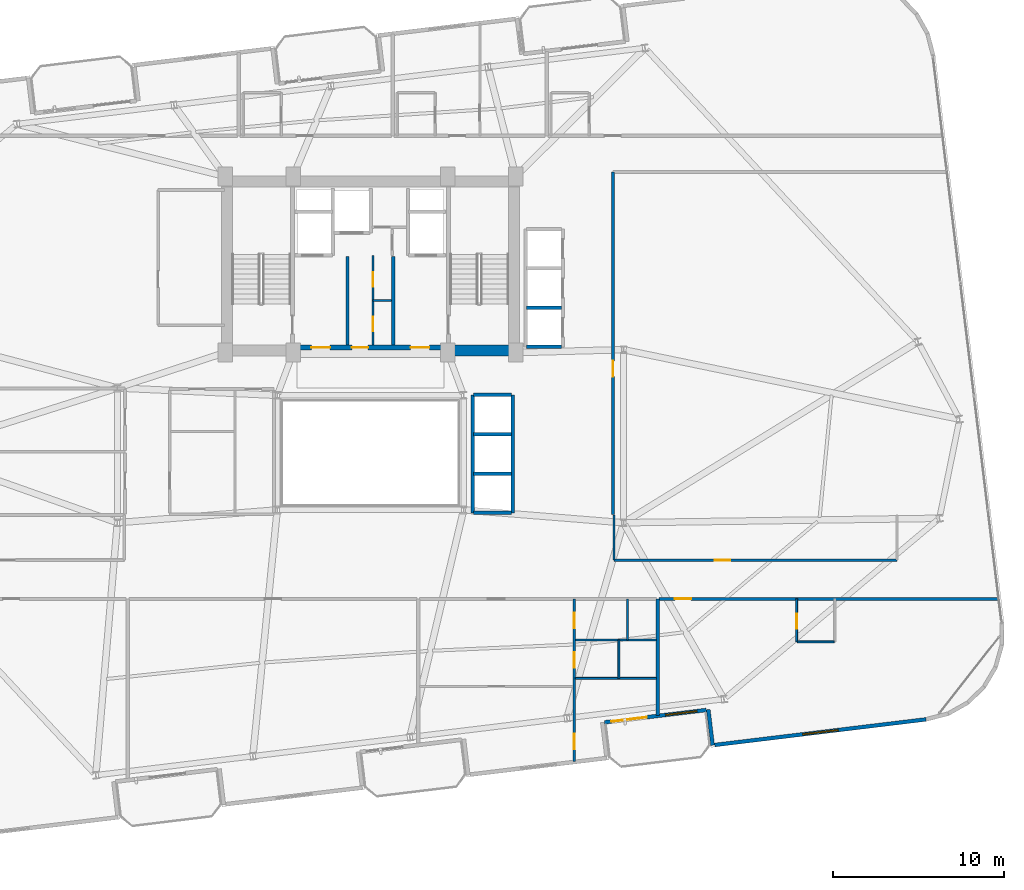
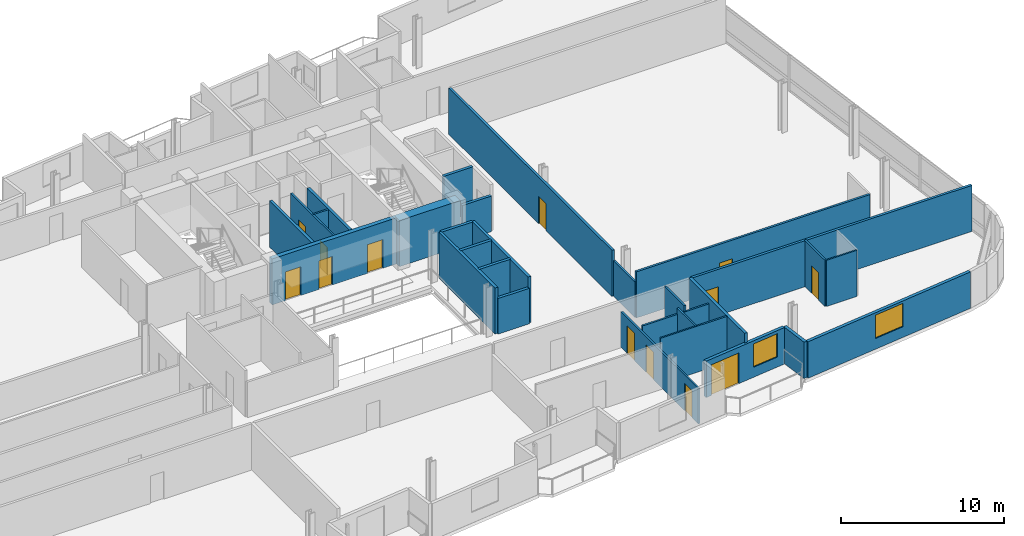
# One storey, part 16 of 23: 29 walls, 13 doors, 2 windows, 15 openings.
"""IFC4 building model written with IfcOpenShell, lengths in metres."""

import ifcopenshell
import ifcopenshell.guid

model = None  # the IFC model being written
_history = None  # IfcOwnerHistory: only IFC2X3 demands one
_inside = {}  # id of a spatial element -> (the spatial element, [elements in it])
_under = {}  # id of a project, library or spatial element -> (it, [spatial elements below it])
_declared = {}  # id of a project -> (the project, [libraries it declares])
_typed = {}  # id of a type object -> (the type object, [elements of that type])
_made_of = {}  # id of a material, layer set ... -> (it, [elements and type objects made of it])


def new_model(schema):
    """Start an empty IFC model of exactly this schema.

    Asked for "IFC4X3", IfcOpenShell would pick the latest addendum, in which some entities
    have other attributes; the version numbers below select the first issue.
    IFC2X3 requires an IfcOwnerHistory on every rooted entity: one is made here for all.
    """
    global model, _history
    if schema == "IFC4X3":
        model = ifcopenshell.file(schema_version=(4, 3, 0, 0))
    else:
        model = ifcopenshell.file(schema=schema)
    _inside.clear()
    _under.clear()
    _declared.clear()
    _typed.clear()
    _made_of.clear()
    _history = None
    if model.schema == "IFC2X3":
        org = make("IfcOrganization", Name="unknown")
        user = make(
            "IfcPersonAndOrganization",
            ThePerson=make("IfcPerson", FamilyName="unknown"),
            TheOrganization=org,
        )
        app = make(
            "IfcApplication",
            ApplicationDeveloper=org,
            Version="unknown",
            ApplicationFullName="unknown",
            ApplicationIdentifier="unknown",
        )
        _history = make(
            "IfcOwnerHistory",
            OwningUser=user,
            OwningApplication=app,
            ChangeAction="ADDED",
            CreationDate=0,
        )
    return model


def make(cls, **values):
    """One entity of the class cls with the attributes given. An attribute that is None is left unset."""
    return model.create_entity(
        cls, **{name: value for name, value in values.items() if value is not None}
    )


def rooted(cls, **values):
    """An entity with a GlobalId (a new one), such as an element, a storey or a relation."""
    return make(cls, GlobalId=ifcopenshell.guid.new(), OwnerHistory=_history, **values)


def si_unit(unit_type, name, prefix=None):
    """IfcSIUnit, for example si_unit("LENGTHUNIT", "METRE", prefix="MILLI")."""
    return make("IfcSIUnit", UnitType=unit_type, Prefix=prefix, Name=name)


def assignment(units):
    """IfcUnitAssignment: the units of a project."""
    return None if units is None else make("IfcUnitAssignment", Units=units)


def point(xyz):
    """IfcCartesianPoint."""
    return None if xyz is None else make("IfcCartesianPoint", Coordinates=xyz)


def direction(xyz):
    """IfcDirection."""
    return None if xyz is None else make("IfcDirection", DirectionRatios=xyz)


def frame(location, z_axis=None, x_axis=None):
    """IfcAxis2Placement3D, a coordinate frame: its origin and axes. An axis left out is left unset."""
    return make(
        "IfcAxis2Placement3D",
        Location=point(location),
        Axis=direction(z_axis),
        RefDirection=direction(x_axis),
    )


def frame_2d(location, x_axis=None):
    """IfcAxis2Placement2D, a coordinate frame in the plane: its origin and x axis."""
    return make(
        "IfcAxis2Placement2D", Location=point(location), RefDirection=direction(x_axis)
    )


def origin():
    """The frame at (0, 0, 0) with its axes left unset."""
    return frame((0.0, 0.0, 0.0))


def place(relative_to, where):
    """IfcLocalPlacement: puts the frame where relative to a parent placement (None: the world)."""
    return make(
        "IfcLocalPlacement", PlacementRelTo=relative_to, RelativePlacement=where
    )


def context(
    kind, dimensions, precision=None, world=None, true_north=None, identifier=None
):
    """IfcGeometricRepresentationContext, for example the 3D "Model" context."""
    return make(
        "IfcGeometricRepresentationContext",
        ContextIdentifier=identifier,
        ContextType=kind,
        CoordinateSpaceDimension=dimensions,
        Precision=precision,
        WorldCoordinateSystem=world,
        TrueNorth=true_north,
    )


def subcontext(parent, identifier, kind, view, scale=None):
    """IfcGeometricRepresentationSubContext, for example "Body" below "Model"."""
    return make(
        "IfcGeometricRepresentationSubContext",
        ContextIdentifier=identifier,
        ContextType=kind,
        ParentContext=parent,
        TargetScale=scale,
        TargetView=view,
    )


def project(units=None, contexts=None):
    """IfcProject with its units and contexts."""
    return rooted(
        "IfcProject",
        Name="project",
        RepresentationContexts=contexts,
        UnitsInContext=assignment(units),
    )


def spatial(cls, under=None, at=None, **own):
    """A site, building, storey or space (cls), placed at a placement, below another one or the project."""
    s = rooted(cls, ObjectPlacement=at, **own)
    if under is not None:
        _under.setdefault(under.id(), (under, []))[1].append(s)
    return s


def profile(cls, at=None, kind="AREA", **sizes):
    """A parametric profile (cls). Its sizes go by their IFC names, for example OverallWidth=200.0."""
    return make(cls, ProfileType=kind, Position=at, **sizes)


def rectangle(**sizes):
    """IfcRectangleProfileDef."""
    return profile("IfcRectangleProfileDef", **sizes)


def extrude(swept, where, along, depth):
    """IfcExtrudedAreaSolid: the profile swept, set in the frame where, extruded along a direction by depth."""
    return make(
        "IfcExtrudedAreaSolid",
        SweptArea=swept,
        Position=where,
        ExtrudedDirection=direction(along),
        Depth=depth,
    )


def shape(context_of_items, identifier, shape_type, items):
    """IfcShapeRepresentation: the items that make up one representation, for example the "Body"."""
    return make(
        "IfcShapeRepresentation",
        ContextOfItems=context_of_items,
        RepresentationIdentifier=identifier,
        RepresentationType=shape_type,
        Items=items,
    )


def material(Name=None, Category=None):
    """IfcMaterial."""
    return make("IfcMaterial", Name=Name, Category=Category)


def layer(
    of_material, thickness, ventilated=None, Name=None, Category=None, Priority=None
):
    """IfcMaterialLayer: one layer of a wall or slab, of a material (None: an air gap)."""
    return make(
        "IfcMaterialLayer",
        Material=of_material,
        LayerThickness=thickness,
        IsVentilated=ventilated,
        Name=Name,
        Category=Category,
        Priority=Priority,
    )


def layer_set(layers, Name=None):
    """IfcMaterialLayerSet."""
    return make("IfcMaterialLayerSet", MaterialLayers=layers, LayerSetName=Name)


def made_of(thing, what):
    """Note that an element or type object is made of a material, layer set ...; save() writes the relation."""
    if what is not None:
        _made_of.setdefault(what.id(), (what, []))[1].append(thing)
    return thing


def type_object(cls, material=None, **own):
    """A type object (cls), such as IfcWallType, which elements share."""
    return made_of(rooted(cls, **own), material)


def element(
    cls,
    number,
    at=None,
    inside=None,
    cuts=None,
    type_object=None,
    material=None,
    context=None,
    identifier="Body",
    shape_type=None,
    held_by="IfcProductDefinitionShape",
    body=None,
    shapes=None,
    **own,
):
    """One element of the class cls, such as IfcWall. Its Tag is "e" and its number.

    at: its placement. inside: the storey or other place that contains it. cuts: it is an
    opening in that element (IfcRelVoidsElement). A single representation is given by context,
    identifier, shape_type and body (its items); several are given by shapes. held_by: the class
    of the entity that holds the representations. save() writes the other relations.
    """
    e = rooted(cls, Tag="e%d" % number, ObjectPlacement=at, **own)
    if body is not None:
        shapes = [shape(context, identifier, shape_type, body)]
    if shapes is not None:
        e.Representation = make(held_by, Representations=shapes)
    if inside is not None:
        _inside.setdefault(inside.id(), (inside, []))[1].append(e)
    if cuts is not None:
        rooted(
            "IfcRelVoidsElement", RelatingBuildingElement=cuts, RelatedOpeningElement=e
        )
    if type_object is not None:
        _typed.setdefault(type_object.id(), (type_object, []))[1].append(e)
    return made_of(e, material)


def fill(opening, filler):
    """IfcRelFillsElement: the door or window that sits in an opening."""
    return rooted(
        "IfcRelFillsElement",
        RelatingOpeningElement=opening,
        RelatedBuildingElement=filler,
    )


def aggregate(whole, parts):
    """IfcRelAggregates: a whole, such as a stair, and the parts it consists of."""
    return rooted("IfcRelAggregates", RelatingObject=whole, RelatedObjects=parts)


def save(model, path):
    """Write the relations noted so far, then the file.

    IfcRelAggregates (storeys below a building ...), IfcRelContainedInSpatialStructure (elements
    in a storey), IfcRelDefinesByType, IfcRelAssociatesMaterial and IfcRelDeclares: one each for
    every whole, place, type object, material and project.
    """
    for whole, parts in _under.values():
        aggregate(whole, parts)
    for where, things in _inside.values():
        rooted(
            "IfcRelContainedInSpatialStructure",
            RelatedElements=things,
            RelatingStructure=where,
        )
    for kind, things in _typed.values():
        rooted("IfcRelDefinesByType", RelatedObjects=things, RelatingType=kind)
    for what, things in _made_of.values():
        rooted("IfcRelAssociatesMaterial", RelatedObjects=things, RelatingMaterial=what)
    for by, libraries in _declared.values():
        rooted("IfcRelDeclares", RelatingContext=by, RelatedDefinitions=libraries)
    model.write(path)


model = new_model("IFC4")

# Units and contexts
model_context = context("Model", 3, precision=1e-05, world=origin(), true_north=direction((0.0, 1.0)))
body_context = subcontext(model_context, "Body", "Model", "MODEL_VIEW")
ifc_project = project(units=[si_unit("LENGTHUNIT", "METRE"), si_unit("AREAUNIT", "SQUARE_METRE"), si_unit("VOLUMEUNIT", "CUBIC_METRE"), si_unit("PLANEANGLEUNIT", "RADIAN"), si_unit("MASSUNIT", "GRAM", prefix="KILO")], contexts=[model_context])

# Site, building, storey
site_placement = place(None, origin())
site = spatial("IfcSite", under=ifc_project, at=site_placement, CompositionType="ELEMENT")
building_placement = place(site_placement, origin())
building = spatial("IfcBuilding", under=site, at=building_placement, Name="Varnelok Gate Tower", CompositionType="ELEMENT")
storey_placement = place(building_placement, frame((0.0, 0.0, 182.0)))
storey = spatial("IfcBuildingStorey", under=building, at=storey_placement, Name="L46", CompositionType="ELEMENT", Elevation=182.0)

# Wall, openings, door, window
ifc_material_1 = material(Name="Concrete C45/55", Category="concrete")
ifc_layer_1 = layer(ifc_material_1, 0.219970703125)
ifc_layer_set_1 = layer_set([ifc_layer_1], Name="Concrete C45/55")
wall_type_1 = type_object("IfcWallType", Name="EW-BALC-220", PredefinedType="SOLIDWALL", material=ifc_layer_set_1)
wall_1_placement = place(storey_placement, frame((58.843017578125, 7.84716796875, 0.0), z_axis=(0.0, 0.0, 1.0), x_axis=(-0.992729951822, -0.120362962556, 0.0)))
wall_1 = element("IfcWall", 1, at=wall_1_placement, inside=storey, type_object=wall_type_1, Name="L46 South Terrace Envelope Wall 3", PredefinedType="SOLIDWALL", context=body_context, shape_type="SweptSolid", body=[
    extrude(rectangle(XDim=6.0, YDim=0.219970703125, at=frame_2d((3.0, 0.0))), origin(), (0.0, 0.0, 1.0), 2.72998046875),
])
opening_1_placement = place(wall_1_placement, frame((3.5, 0.0, 0.0)))
opening_1 = element("IfcOpeningElement", 2, at=opening_1_placement, cuts=wall_1, Name="Opening BD-2", PredefinedType="OPENING", context=body_context, shape_type="SweptSolid", body=[
    extrude(rectangle(XDim=2.10009765625, YDim=2.300048828125, at=frame_2d((1.050048828125, 1.14990234375))), frame((0.0, 0.119873046875, 0.0), z_axis=(0.0, -1.0, 0.0), x_axis=(1.0, 0.0, 0.0)), (0.0, 0.0, 1.0), 0.239990234375),
])
opening_2_placement = place(wall_1_placement, frame((0.550048828125, 0.0, 0.75)))
opening_2 = element("IfcOpeningElement", 3, at=opening_2_placement, cuts=wall_1, Name="Opening WN5", PredefinedType="OPENING", context=body_context, shape_type="SweptSolid", body=[
    extrude(rectangle(XDim=1.85009765625, YDim=1.75, at=frame_2d((0.925048828125, 0.875))), frame((0.0, 0.119873046875, 0.0), z_axis=(0.0, -1.0, 0.0), x_axis=(1.0, 0.0, 0.0)), (0.0, 0.0, 1.0), 0.239990234375),
])
ifc_material_2 = material(Name="Anodized Aluminum Alloy 6063-T6", Category="aluminium")
door_type_1 = type_object("IfcDoorType", Name="DR-EXT-SLID2100", OperationType="SLIDING_TO_LEFT", PredefinedType="DOOR", material=ifc_material_2)
door_1_placement = place(opening_1_placement, origin())
door_1 = element("IfcDoor", 4, at=door_1_placement, inside=storey, type_object=door_type_1, Name="L46 South Balcony Glazed Door 3", OperationType="SLIDING_TO_LEFT", OverallHeight=2.300048828125, OverallWidth=2.10009765625, PredefinedType="DOOR", context=body_context, shape_type="SweptSolid", body=[
    extrude(rectangle(XDim=2.10009765625, YDim=2.300048828125, at=frame_2d((1.050048828125, 1.14990234375))), frame((0.0, 0.02490234375, 0.0), z_axis=(0.0, -1.0, 0.0), x_axis=(1.0, 0.0, 0.0)), (0.0, 0.0, 1.0), 0.050048828125),
])
fill(opening_1, door_1)
ifc_material_3 = material(Name="Low-E Laminated Double Glazing IGU", Category="glass")
window_type_1 = type_object("IfcWindowType", Name="WN-RES-1850", PartitioningType="SINGLE_PANEL", PredefinedType="WINDOW", material=ifc_material_3)
window_1_placement = place(opening_2_placement, origin())
window_1 = element("IfcWindow", 5, at=window_1_placement, inside=storey, type_object=window_type_1, Name="L46 South Vision Window 3.1", OverallHeight=1.75, OverallWidth=1.85009765625, PartitioningType="SINGLE_PANEL", PredefinedType="WINDOW", context=body_context, shape_type="SweptSolid", body=[
    extrude(rectangle(XDim=1.85009765625, YDim=1.75, at=frame_2d((0.925048828125, 0.875))), frame((0.0, 0.030029296875, 0.0), z_axis=(0.0, -1.0, 0.0), x_axis=(1.0, 0.0, 0.0)), (0.0, 0.0, 1.0), 0.06005859375),
])
fill(opening_2, window_1)

# Wall
wall_2_placement = place(storey_placement, frame((58.961181640625, 7.87158203125, 0.0), z_axis=(0.0, 0.0, 1.0), x_axis=(0.120327895535, -0.992734202874, 0.0)))
element("IfcWall", 6, at=wall_2_placement, inside=storey, type_object=wall_type_1, Name="L46 Perimeter Facade Closure Wall 15", PredefinedType="SOLIDWALL", context=body_context, shape_type="SweptSolid", body=[
    extrude(rectangle(XDim=2.099853515625, YDim=0.219970703125, at=frame_2d((1.0498046875, 0.0))), origin(), (0.0, 0.0, 1.0), 2.72998046875),
])

# Wall, opening, window
wall_3_placement = place(storey_placement, frame((59.337890625, 5.8017578125, 0.0), z_axis=(0.0, 0.0, 1.0), x_axis=(0.992731225757, 0.120352454927, 0.0)))
wall_3 = element("IfcWall", 7, at=wall_3_placement, inside=storey, type_object=wall_type_1, Name="L46 Perimeter Facade Closure Wall 16", PredefinedType="SOLIDWALL", context=body_context, shape_type="SweptSolid", body=[
    extrude(rectangle(XDim=12.447265625, YDim=0.219970703125, at=frame_2d((6.2236328125, 0.0))), origin(), (0.0, 0.0, 1.0), 2.72998046875),
])
opening_3_placement = place(wall_3_placement, frame((5.173583984375, 0.0, 0.800048828125)))
opening_3 = element("IfcOpeningElement", 8, at=opening_3_placement, cuts=wall_3, Name="Opening WN4", PredefinedType="OPENING", context=body_context, shape_type="SweptSolid", body=[
    extrude(rectangle(XDim=2.10009765625, YDim=1.75, at=frame_2d((1.050048828125, 0.875))), frame((0.0, 0.119873046875, 0.0), z_axis=(0.0, -1.0, 0.0), x_axis=(1.0, 0.0, 0.0)), (0.0, 0.0, 1.0), 0.239990234375),
])
window_type_2 = type_object("IfcWindowType", Name="WN-SUI-2100", PartitioningType="SINGLE_PANEL", PredefinedType="WINDOW", material=ifc_material_3)
window_2_placement = place(opening_3_placement, origin())
window_2 = element("IfcWindow", 9, at=window_2_placement, inside=storey, type_object=window_type_2, Name="L46 Perimeter Vision Window 16", OverallHeight=1.75, OverallWidth=2.10009765625, PartitioningType="SINGLE_PANEL", PredefinedType="WINDOW", context=body_context, shape_type="SweptSolid", body=[
    extrude(rectangle(XDim=2.10009765625, YDim=1.75, at=frame_2d((1.050048828125, 0.875))), frame((0.0, 0.030029296875, 0.0), z_axis=(0.0, -1.0, 0.0), x_axis=(1.0, 0.0, 0.0)), (0.0, 0.0, 1.0), 0.06005859375),
])
fill(opening_3, window_2)

# Wall, opening, door
ifc_material_4 = material(Name="Gypsum Plasterboard Acoustic Partition", Category="gypsum")
ifc_layer_2 = layer(ifc_material_4, 0.179931640625)
ifc_layer_set_2 = layer_set([ifc_layer_2], Name="Gypsum Plasterboard Acoustic Partition")
wall_type_2 = type_object("IfcWallType", Name="PW-CORR-180", PredefinedType="PARTITIONING", material=ifc_layer_set_2)
wall_4_placement = place(storey_placement, frame((56.080078125, 14.35009765625, 0.0), z_axis=(0.0, 0.0, 1.0), x_axis=(1.0, 0.0, 0.0)))
wall_4 = element("IfcWall", 10, at=wall_4_placement, inside=storey, type_object=wall_type_2, Name="Interior Partition", PredefinedType="PARTITIONING", context=body_context, shape_type="SweptSolid", body=[
    extrude(rectangle(XDim=19.82470703125, YDim=0.179931640625, at=frame_2d((9.912353515625, 0.0))), origin(), (0.0, 0.0, 1.0), 3.449951171875),
])
opening_4_placement = place(wall_4_placement, frame((0.923095703125, 0.0, 0.0)))
opening_4 = element("IfcOpeningElement", 11, at=opening_4_placement, cuts=wall_4, Name="Opening D-HT", PredefinedType="OPENING", context=body_context, shape_type="SweptSolid", body=[
    extrude(rectangle(XDim=0.949951171875, YDim=2.14990234375, at=frame_2d((0.47509765625, 1.074951171875))), frame((0.0, 0.099853515625, 0.0), z_axis=(0.0, -1.0, 0.0), x_axis=(1.0, 0.0, 0.0)), (0.0, 0.0, 1.0), 0.199951171875),
])
ifc_material_5 = material(Name="Engineered Hardwood Timber", Category="wood")
door_type_2 = type_object("IfcDoorType", Name="DR-HTL-950", OperationType="NOTDEFINED", PredefinedType="DOOR", material=ifc_material_5)
door_2_placement = place(opening_4_placement, origin())
door_2 = element("IfcDoor", 12, at=door_2_placement, inside=storey, type_object=door_type_2, Name="L46 Guest Room 04 Entrance Door", OperationType="SINGLE_SWING_LEFT", OverallHeight=2.14990234375, OverallWidth=0.949951171875, PredefinedType="DOOR", context=body_context, shape_type="SweptSolid", body=[
    extrude(rectangle(XDim=0.949951171875, YDim=2.14990234375, at=frame_2d((0.47509765625, 1.074951171875))), frame((0.0, 0.02490234375, 0.0), z_axis=(0.0, -1.0, 0.0), x_axis=(1.0, 0.0, 0.0)), (0.0, 0.0, 1.0), 0.050048828125),
])
fill(opening_4, door_2)

wall_5_placement = place(storey_placement, frame((53.389892578125, 19.280029296875, 0.0), z_axis=(0.0, 0.0, 1.0), x_axis=(0.0, 1.0, 0.0)))
wall_5 = element("IfcWall", 13, at=wall_5_placement, inside=storey, type_object=wall_type_2, Name="Interior Partition", PredefinedType="PARTITIONING", context=body_context, shape_type="SweptSolid", body=[
    extrude(rectangle(XDim=20.02001953125, YDim=0.179931640625, at=frame_2d((10.010009765625, 0.0))), origin(), (0.0, 0.0, 1.0), 3.449951171875),
])
opening_5_placement = place(wall_5_placement, frame((8.070068359375, 0.0, 0.0)))
opening_5 = element("IfcOpeningElement", 14, at=opening_5_placement, cuts=wall_5, Name="Opening D-I3", PredefinedType="OPENING", context=body_context, shape_type="SweptSolid", body=[
    extrude(rectangle(XDim=0.919921875, YDim=2.050048828125, at=frame_2d((0.4599609375, 1.02490234375))), frame((0.0, 0.099853515625, 0.0), z_axis=(0.0, -1.0, 0.0), x_axis=(1.0, 0.0, 0.0)), (0.0, 0.0, 1.0), 0.199951171875),
])
door_type_3 = type_object("IfcDoorType", Name="DR-INT-920", OperationType="NOTDEFINED", PredefinedType="DOOR", material=ifc_material_5)
door_3_placement = place(opening_5_placement, origin())
door_3 = element("IfcDoor", 15, at=door_3_placement, inside=storey, type_object=door_type_3, Name="L46 East Playroom Door", OperationType="SINGLE_SWING_LEFT", OverallHeight=2.050048828125, OverallWidth=0.919921875, PredefinedType="DOOR", context=body_context, shape_type="SweptSolid", body=[
    extrude(rectangle(XDim=0.919921875, YDim=2.050048828125, at=frame_2d((0.4599609375, 1.02490234375))), frame((0.0, 0.02490234375, 0.0), z_axis=(0.0, -1.0, 0.0), x_axis=(1.0, 0.0, 0.0)), (0.0, 0.0, 1.0), 0.050048828125),
])
fill(opening_5, door_3)

# Walls
ifc_layer_3 = layer(ifc_material_4, 0.114990234375)
ifc_layer_set_3 = layer_set([ifc_layer_3], Name="Gypsum Plasterboard Acoustic Partition")
wall_type_3 = type_object("IfcWallType", Name="PW-ENS-125", PredefinedType="PARTITIONING", material=ifc_layer_set_3)
wall_6_placement = place(storey_placement, frame((51.18994140625, 9.699951171875, 0.0), z_axis=(0.0, 0.0, 1.0), x_axis=(1.0, 0.0, 0.0)))
element("IfcWall", 16, at=wall_6_placement, inside=storey, type_object=wall_type_3, Name="Interior Partition", PredefinedType="PARTITIONING", context=body_context, shape_type="SweptSolid", body=[
    extrude(rectangle(XDim=4.72998046875, YDim=0.114990234375, at=frame_2d((2.364990234375, 0.0))), origin(), (0.0, 0.0, 1.0), 3.449951171875),
])
wall_7_placement = place(storey_placement, frame((53.72998046875, 9.699951171875, 0.0), z_axis=(0.0, 0.0, 1.0), x_axis=(0.0, 1.0, 0.0)))
element("IfcWall", 17, at=wall_7_placement, inside=storey, type_object=wall_type_3, Name="Interior Partition", PredefinedType="PARTITIONING", context=body_context, shape_type="SweptSolid", body=[
    extrude(rectangle(XDim=2.239990234375, YDim=0.114990234375, at=frame_2d((1.1201171875, 0.0))), origin(), (0.0, 0.0, 1.0), 3.449951171875),
])
wall_8_placement = place(storey_placement, frame((64.169921875, 11.830078125, 0.0), z_axis=(0.0, 0.0, 1.0), x_axis=(1.0, 0.0, 0.0)))
element("IfcWall", 18, at=wall_8_placement, inside=storey, type_object=wall_type_3, Name="Interior Partition", PredefinedType="PARTITIONING", context=body_context, shape_type="SweptSolid", body=[
    extrude(rectangle(XDim=2.150146484375, YDim=0.114990234375, at=frame_2d((1.0751953125, 0.0))), origin(), (0.0, 0.0, 1.0), 3.449951171875),
])

# Wall, opening, door
wall_9_placement = place(storey_placement, frame((64.1298828125, 11.830078125, 0.0), z_axis=(0.0, 0.0, 1.0), x_axis=(0.0, 1.0, 0.0)))
wall_9 = element("IfcWall", 19, at=wall_9_placement, inside=storey, type_object=wall_type_3, Name="Interior Partition", PredefinedType="PARTITIONING", context=body_context, shape_type="SweptSolid", body=[
    extrude(rectangle(XDim=2.52001953125, YDim=0.114990234375, at=frame_2d((1.260009765625, 0.0))), origin(), (0.0, 0.0, 1.0), 3.449951171875),
])
opening_6_placement = place(wall_9_placement, frame((0.760009765625, 0.0, 0.0)))
opening_6 = element("IfcOpeningElement", 20, at=opening_6_placement, cuts=wall_9, Name="Opening D-WC", PredefinedType="OPENING", context=body_context, shape_type="SweptSolid", body=[
    extrude(rectangle(XDim=0.89990234375, YDim=2.050048828125, at=frame_2d((0.449951171875, 1.02490234375))), frame((0.0, 0.0673828125, 0.0), z_axis=(0.0, -1.0, 0.0), x_axis=(1.0, 0.0, 0.0)), (0.0, 0.0, 1.0), 0.135009765625),
])
door_type_4 = type_object("IfcDoorType", Name="DR-BATH-900", OperationType="NOTDEFINED", PredefinedType="DOOR", material=ifc_material_5)
door_4_placement = place(opening_6_placement, origin())
door_4 = element("IfcDoor", 21, at=door_4_placement, inside=storey, type_object=door_type_4, Name="L46 Guest En-Suite 04 Door", OperationType="SINGLE_SWING_RIGHT", OverallHeight=2.050048828125, OverallWidth=0.89990234375, PredefinedType="DOOR", context=body_context, shape_type="SweptSolid", body=[
    extrude(rectangle(XDim=0.89990234375, YDim=2.050048828125, at=frame_2d((0.449951171875, 1.02490234375))), frame((0.0, 0.02490234375, 0.0), z_axis=(0.0, -1.0, 0.0), x_axis=(1.0, 0.0, 0.0)), (0.0, 0.0, 1.0), 0.050048828125),
])
fill(opening_6, door_4)

# Wall
ifc_layer_4 = layer(ifc_material_4, 0.125)
ifc_layer_set_4 = layer_set([ifc_layer_4], Name="Gypsum Plasterboard Acoustic Partition")
wall_type_4 = type_object("IfcWallType", Name="PW-PART-125", PredefinedType="PARTITIONING", material=ifc_layer_set_4)
wall_10_placement = place(storey_placement, frame((53.449951171875, 16.610107421875, 0.0), z_axis=(0.0, 0.0, 1.0), x_axis=(0.0, 1.0, 0.0)))
element("IfcWall", 22, at=wall_10_placement, inside=storey, type_object=wall_type_4, Name="Interior Partition", PredefinedType="PARTITIONING", context=body_context, shape_type="SweptSolid", body=[
    extrude(rectangle(XDim=2.6298828125, YDim=0.125, at=frame_2d((1.31494140625, 0.0))), origin(), (0.0, 0.0, 1.0), 2.662109375),
])

# Wall, openings, doors
wall_11_placement = place(storey_placement, frame((51.1201171875, 4.82568359375, 0.0), z_axis=(0.0, 0.0, 1.0), x_axis=(0.0, 1.0, 0.0)))
wall_11 = element("IfcWall", 23, at=wall_11_placement, inside=storey, type_object=wall_type_4, Name="Interior Partition", PredefinedType="PARTITIONING", context=body_context, shape_type="SweptSolid", body=[
    extrude(rectangle(XDim=9.5244140625, YDim=0.125, at=frame_2d((4.76220703125, 0.0))), origin(), (0.0, 0.0, 1.0), 2.662109375),
])
opening_7_placement = place(wall_11_placement, frame((0.724853515625, 0.0, 0.0)))
opening_7 = element("IfcOpeningElement", 24, at=opening_7_placement, cuts=wall_11, Name="Opening D-I3", PredefinedType="OPENING", context=body_context, shape_type="SweptSolid", body=[
    extrude(rectangle(XDim=0.919921875, YDim=2.050048828125, at=frame_2d((0.4599609375, 1.02490234375))), frame((0.0, 0.072509765625, 0.0), z_axis=(0.0, -1.0, 0.0), x_axis=(1.0, 0.0, 0.0)), (0.0, 0.0, 1.0), 0.14501953125),
])
opening_8_placement = place(wall_11_placement, frame((5.501708984375, 0.0, 0.0)))
opening_8 = element("IfcOpeningElement", 25, at=opening_8_placement, cuts=wall_11, Name="Opening D-WC", PredefinedType="OPENING", context=body_context, shape_type="SweptSolid", body=[
    extrude(rectangle(XDim=0.89990234375, YDim=2.050048828125, at=frame_2d((0.449951171875, 1.02490234375))), frame((0.0, 0.072509765625, 0.0), z_axis=(0.0, -1.0, 0.0), x_axis=(1.0, 0.0, 0.0)), (0.0, 0.0, 1.0), 0.14501953125),
])
opening_9_placement = place(wall_11_placement, frame((7.794189453125, 0.0, 0.0)))
opening_9 = element("IfcOpeningElement", 26, at=opening_9_placement, cuts=wall_11, Name="Opening D-I3", PredefinedType="OPENING", context=body_context, shape_type="SweptSolid", body=[
    extrude(rectangle(XDim=0.919921875, YDim=2.050048828125, at=frame_2d((0.4599609375, 1.02490234375))), frame((0.0, 0.072509765625, 0.0), z_axis=(0.0, -1.0, 0.0), x_axis=(1.0, 0.0, 0.0)), (0.0, 0.0, 1.0), 0.14501953125),
])
door_5_placement = place(opening_8_placement, origin())
door_5 = element("IfcDoor", 27, at=door_5_placement, inside=storey, type_object=door_type_4, Name="L46 Apartment 3 Bathroom Door", OperationType="SINGLE_SWING_LEFT", OverallHeight=2.050048828125, OverallWidth=0.89990234375, PredefinedType="DOOR", context=body_context, shape_type="SweptSolid", body=[
    extrude(rectangle(XDim=0.89990234375, YDim=2.050048828125, at=frame_2d((0.449951171875, 1.02490234375))), frame((0.0, 0.02490234375, 0.0), z_axis=(0.0, -1.0, 0.0), x_axis=(1.0, 0.0, 0.0)), (0.0, 0.0, 1.0), 0.050048828125),
])
fill(opening_8, door_5)
door_6_placement = place(opening_7_placement, origin())
door_6 = element("IfcDoor", 28, at=door_6_placement, inside=storey, type_object=door_type_3, Name="L46 Apartment 3 Bedroom Door", OperationType="SINGLE_SWING_RIGHT", OverallHeight=2.050048828125, OverallWidth=0.919921875, PredefinedType="DOOR", context=body_context, shape_type="SweptSolid", body=[
    extrude(rectangle(XDim=0.919921875, YDim=2.050048828125, at=frame_2d((0.4599609375, 1.02490234375))), frame((0.0, 0.02490234375, 0.0), z_axis=(0.0, -1.0, 0.0), x_axis=(1.0, 0.0, 0.0)), (0.0, 0.0, 1.0), 0.050048828125),
])
fill(opening_7, door_6)
door_7_placement = place(opening_9_placement, origin())
door_7 = element("IfcDoor", 29, at=door_7_placement, inside=storey, type_object=door_type_3, Name="L46 Apartment 3 Kitchen Door", OperationType="SINGLE_SWING_RIGHT", OverallHeight=2.050048828125, OverallWidth=0.919921875, PredefinedType="DOOR", context=body_context, shape_type="SweptSolid", body=[
    extrude(rectangle(XDim=0.919921875, YDim=2.050048828125, at=frame_2d((0.4599609375, 1.02490234375))), frame((0.0, 0.02490234375, 0.0), z_axis=(0.0, -1.0, 0.0), x_axis=(1.0, 0.0, 0.0)), (0.0, 0.0, 1.0), 0.050048828125),
])
fill(opening_9, door_7)

# Walls
wall_12_placement = place(storey_placement, frame((51.18994140625, 11.93994140625, 0.0), z_axis=(0.0, 0.0, 1.0), x_axis=(1.0, 0.0, 0.0)))
element("IfcWall", 30, at=wall_12_placement, inside=storey, type_object=wall_type_4, Name="Interior Partition", PredefinedType="PARTITIONING", context=body_context, shape_type="SweptSolid", body=[
    extrude(rectangle(XDim=4.72998046875, YDim=0.125, at=frame_2d((2.364990234375, 0.0))), origin(), (0.0, 0.0, 1.0), 3.01806640625),
])
wall_13_placement = place(storey_placement, frame((54.22998046875, 11.93994140625, 0.0), z_axis=(0.0, 0.0, 1.0), x_axis=(0.0, 1.0, 0.0)))
element("IfcWall", 31, at=wall_13_placement, inside=storey, type_object=wall_type_4, Name="Interior Partition", PredefinedType="PARTITIONING", context=body_context, shape_type="SweptSolid", body=[
    extrude(rectangle(XDim=2.41015625, YDim=0.125, at=frame_2d((1.205078125, 0.0))), origin(), (0.0, 0.0, 1.0), 3.449951171875),
])
wall_14_placement = place(storey_placement, frame((39.35009765625, 31.800048828125, 0.0), z_axis=(0.0, 0.0, 1.0), x_axis=(1.0, 0.0, 0.0)))
element("IfcWall", 32, at=wall_14_placement, inside=storey, type_object=wall_type_4, Name="Interior Partition", PredefinedType="PARTITIONING", context=body_context, shape_type="SweptSolid", body=[
    extrude(rectangle(XDim=1.08984375, YDim=0.125, at=frame_2d((0.544921875, 0.0))), origin(), (0.0, 0.0, 1.0), 3.449951171875),
])

# Wall, openings, doors
wall_15_placement = place(storey_placement, frame((39.35009765625, 29.199951171875, 0.0), z_axis=(0.0, 0.0, 1.0), x_axis=(0.0, 1.0, 0.0)))
wall_15 = element("IfcWall", 33, at=wall_15_placement, inside=storey, type_object=wall_type_4, Name="Interior Partition", PredefinedType="PARTITIONING", context=body_context, shape_type="SweptSolid", body=[
    extrude(rectangle(XDim=5.219970703125, YDim=0.125, at=frame_2d((2.60986328125, 0.0))), origin(), (0.0, 0.0, 1.0), 3.449951171875),
])
opening_10_placement = place(wall_15_placement, frame((0.800048828125, 0.0, 0.0)))
opening_10 = element("IfcOpeningElement", 34, at=opening_10_placement, cuts=wall_15, Name="Opening D-RS", PredefinedType="OPENING", context=body_context, shape_type="SweptSolid", body=[
    extrude(rectangle(XDim=0.85009765625, YDim=2.050048828125, at=frame_2d((0.425048828125, 1.02490234375))), frame((0.0, 0.072509765625, 0.0), z_axis=(0.0, -1.0, 0.0), x_axis=(1.0, 0.0, 0.0)), (0.0, 0.0, 1.0), 0.14501953125),
])
opening_11_placement = place(wall_15_placement, frame((3.39990234375, 0.0, 0.0)))
opening_11 = element("IfcOpeningElement", 35, at=opening_11_placement, cuts=wall_15, Name="Opening D-RS", PredefinedType="OPENING", context=body_context, shape_type="SweptSolid", body=[
    extrude(rectangle(XDim=0.85009765625, YDim=2.050048828125, at=frame_2d((0.425048828125, 1.02490234375))), frame((0.0, 0.072509765625, 0.0), z_axis=(0.0, -1.0, 0.0), x_axis=(1.0, 0.0, 0.0)), (0.0, 0.0, 1.0), 0.14501953125),
])
ifc_material_6 = material(Name="Galvanized Steel Grade S350GD", Category="steel")
door_type_5 = type_object("IfcDoorType", Name="DR-RISER-850", OperationType="NOTDEFINED", PredefinedType="DOOR", material=ifc_material_6)
door_8_placement = place(opening_10_placement, origin())
door_8 = element("IfcDoor", 36, at=door_8_placement, inside=storey, type_object=door_type_5, Name="L46 Housekeeping Linen Door", OperationType="SINGLE_SWING_RIGHT", OverallHeight=2.050048828125, OverallWidth=0.85009765625, PredefinedType="DOOR", context=body_context, shape_type="SweptSolid", body=[
    extrude(rectangle(XDim=0.85009765625, YDim=2.050048828125, at=frame_2d((0.425048828125, 1.02490234375))), frame((0.0, 0.02490234375, 0.0), z_axis=(0.0, -1.0, 0.0), x_axis=(1.0, 0.0, 0.0)), (0.0, 0.0, 1.0), 0.050048828125),
])
fill(opening_10, door_8)
door_9_placement = place(opening_11_placement, origin())
door_9 = element("IfcDoor", 37, at=door_9_placement, inside=storey, type_object=door_type_5, Name="L46 Core Supply Door", OperationType="SINGLE_SWING_LEFT", OverallHeight=2.050048828125, OverallWidth=0.85009765625, PredefinedType="DOOR", context=body_context, shape_type="SweptSolid", body=[
    extrude(rectangle(XDim=0.85009765625, YDim=2.050048828125, at=frame_2d((0.425048828125, 1.02490234375))), frame((0.0, 0.02490234375, 0.0), z_axis=(0.0, -1.0, 0.0), x_axis=(1.0, 0.0, 0.0)), (0.0, 0.0, 1.0), 0.050048828125),
])
fill(opening_11, door_9)

# Wall, opening, door
ifc_layer_5 = layer(ifc_material_4, 0.14990234375)
ifc_layer_set_5 = layer_set([ifc_layer_5], Name="Gypsum Plasterboard Acoustic Partition")
wall_type_5 = type_object("IfcWallType", Name="PW-PART-150", PredefinedType="PARTITIONING", material=ifc_layer_set_5)
wall_16_placement = place(storey_placement, frame((53.449951171875, 16.610107421875, 0.0), z_axis=(0.0, 0.0, 1.0), x_axis=(1.0, 0.0, 0.0)))
wall_16 = element("IfcWall", 38, at=wall_16_placement, inside=storey, type_object=wall_type_5, Name="Interior Partition", PredefinedType="PARTITIONING", context=body_context, shape_type="SweptSolid", body=[
    extrude(rectangle(XDim=16.550048828125, YDim=0.14990234375, at=frame_2d((8.27490234375, 0.0))), origin(), (0.0, 0.0, 1.0), 3.449951171875),
])
opening_12_placement = place(wall_16_placement, frame((5.87255859375, 0.0, 0.0)))
opening_12 = element("IfcOpeningElement", 39, at=opening_12_placement, cuts=wall_16, Name="Opening D-I3", PredefinedType="OPENING", context=body_context, shape_type="SweptSolid", body=[
    extrude(rectangle(XDim=0.919921875, YDim=2.050048828125, at=frame_2d((0.4599609375, 1.02490234375))), frame((0.0, 0.0849609375, 0.0), z_axis=(0.0, -1.0, 0.0), x_axis=(1.0, 0.0, 0.0)), (0.0, 0.0, 1.0), 0.169921875),
])
door_10_placement = place(opening_12_placement, origin())
door_10 = element("IfcDoor", 40, at=door_10_placement, inside=storey, type_object=door_type_3, Name="L46 Atrium Room 2 Door", OperationType="SINGLE_SWING_LEFT", OverallHeight=2.050048828125, OverallWidth=0.919921875, PredefinedType="DOOR", context=body_context, shape_type="SweptSolid", body=[
    extrude(rectangle(XDim=0.919921875, YDim=2.050048828125, at=frame_2d((0.4599609375, 1.02490234375))), frame((0.0, 0.02490234375, 0.0), z_axis=(0.0, -1.0, 0.0), x_axis=(1.0, 0.0, 0.0)), (0.0, 0.0, 1.0), 0.050048828125),
])
fill(opening_12, door_10)

# Walls
ifc_layer_6 = layer(ifc_material_4, 0.205078125)
ifc_layer_set_6 = layer_set([ifc_layer_6], Name="Gypsum Plasterboard Acoustic Partition")
wall_type_6 = type_object("IfcWallType", Name="PW-PARTY-200", PredefinedType="PARTITIONING", material=ifc_layer_set_6)
wall_17_placement = place(storey_placement, frame((56.0, 7.53271484375, 0.0), z_axis=(0.0, 0.0, 1.0), x_axis=(0.0, 1.0, 0.0)))
element("IfcWall", 41, at=wall_17_placement, inside=storey, type_object=wall_type_6, Name="L46 South Party Wall 3", PredefinedType="PARTITIONING", context=body_context, shape_type="SweptSolid", body=[
    extrude(rectangle(XDim=6.8173828125, YDim=0.205078125, at=frame_2d((3.40869140625, 0.0))), origin(), (0.0, 0.0, 1.0), 3.449951171875),
])
ifc_material_7 = material(Name="Concrete C35/45", Category="concrete")
ifc_layer_7 = layer(ifc_material_7, 0.199951171875)
ifc_layer_set_7 = layer_set([ifc_layer_7], Name="Concrete C35/45")
wall_type_7 = type_object("IfcWallType", Name="PW-SHAFT-200", PredefinedType="PARTITIONING", material=ifc_layer_set_7)
for number, where, z_axis, x_axis, name in (
    (42, (37.860107421875, 29.199951171875, 0.0), (0.0, 0.0, 1.0), (0.0, 1.0, 0.0), "L46 West FF Lobby Rated Wall"),
    (43, (40.5400390625, 29.199951171875, 0.0), (0.0, 0.0, 1.0), (0.0, 1.0, 0.0), "L46 East FF Lobby Rated Wall"),
):
    element("IfcWall", number, at=place(storey_placement, frame(where, z_axis=z_axis, x_axis=x_axis)), inside=storey, type_object=wall_type_7, Name=name, PredefinedType="PARTITIONING", context=body_context, shape_type="SweptSolid", body=[
        extrude(rectangle(XDim=5.179931640625, YDim=0.199951171875, at=frame_2d((2.58984375, 0.0))), origin(), (0.0, 0.0, 1.0), 3.449951171875),
    ])
wall_18_placement = place(storey_placement, frame((48.320068359375, 31.375, 0.0), z_axis=(0.0, 0.0, 1.0), x_axis=(1.0, 0.0, 0.0)))
element("IfcWall", 44, at=wall_18_placement, inside=storey, type_object=wall_type_7, Name="L46 PM1 Divider", PredefinedType="PARTITIONING", context=body_context, shape_type="SweptSolid", body=[
    extrude(rectangle(XDim=2.059814453125, YDim=0.199951171875, at=frame_2d((1.02978515625, 0.0))), origin(), (0.0, 0.0, 1.0), 3.449951171875),
])
wall_19_placement = place(storey_placement, frame((48.320068359375, 29.080078125, 0.0), z_axis=(0.0, 0.0, 1.0), x_axis=(1.0, 0.0, 0.0)))
element("IfcWall", 45, at=wall_19_placement, inside=storey, type_object=wall_type_7, Name="L46 PM Bank South Wall", PredefinedType="PARTITIONING", context=body_context, shape_type="SweptSolid", body=[
    extrude(rectangle(XDim=2.059814453125, YDim=0.199951171875, at=frame_2d((1.02978515625, 0.0))), origin(), (0.0, 0.0, 1.0), 2.662109375),
])
for number, where, z_axis, x_axis, name in (
    (46, (45.239990234375, 21.675048828125, 0.0), (0.0, 0.0, 1.0), (1.0, 0.0, 0.0), "L46 PH1 Divider"),
    (47, (45.239990234375, 23.97509765625, 0.0), (0.0, 0.0, 1.0), (1.0, 0.0, 0.0), "L46 PH2 Divider"),
):
    element("IfcWall", number, at=place(storey_placement, frame(where, z_axis=z_axis, x_axis=x_axis)), inside=storey, type_object=wall_type_7, Name=name, PredefinedType="PARTITIONING", context=body_context, shape_type="SweptSolid", body=[
        extrude(rectangle(XDim=2.219970703125, YDim=0.199951171875, at=frame_2d((1.10986328125, 0.0))), origin(), (0.0, 0.0, 1.0), 3.449951171875),
    ])
wall_20_placement = place(storey_placement, frame((45.239990234375, 19.3798828125, 0.0), z_axis=(0.0, 0.0, 1.0), x_axis=(1.0, 0.0, 0.0)))
element("IfcWall", 48, at=wall_20_placement, inside=storey, type_object=wall_type_7, Name="L46 PH Bank South Wall", PredefinedType="PARTITIONING", context=body_context, shape_type="SweptSolid", body=[
    extrude(rectangle(XDim=2.219970703125, YDim=0.199951171875, at=frame_2d((1.10986328125, 0.0))), origin(), (0.0, 0.0, 1.0), 2.662109375),
])
wall_21_placement = place(storey_placement, frame((45.239990234375, 26.280029296875, 0.0), z_axis=(0.0, 0.0, 1.0), x_axis=(1.0, 0.0, 0.0)))
element("IfcWall", 49, at=wall_21_placement, inside=storey, type_object=wall_type_7, Name="L46 PH Bank North Wall", PredefinedType="PARTITIONING", context=body_context, shape_type="SweptSolid", body=[
    extrude(rectangle(XDim=2.219970703125, YDim=0.199951171875, at=frame_2d((1.10986328125, 0.0))), origin(), (0.0, 0.0, 1.0), 3.449951171875),
])
for number, where, z_axis, x_axis, name in (
    (50, (45.179931640625, 19.3798828125, 0.0), (0.0, 0.0, 1.0), (0.0, 1.0, 0.0), "L46 PH Bank Atrium Wall"),
    (51, (47.52001953125, 19.3798828125, 0.0), (0.0, 0.0, 1.0), (0.0, 1.0, 0.0), "L46 PH Bank Front Wall"),
):
    element("IfcWall", number, at=place(storey_placement, frame(where, z_axis=z_axis, x_axis=x_axis)), inside=storey, type_object=wall_type_7, Name=name, PredefinedType="PARTITIONING", context=body_context, shape_type="SweptSolid", body=[
        extrude(rectangle(XDim=6.900146484375, YDim=0.199951171875, at=frame_2d((3.4501953125, 0.0))), origin(), (0.0, 0.0, 1.0), 3.449951171875),
    ])
ifc_material_8 = material(Name="Concrete C60/75", Category="concrete")
ifc_layer_8 = layer(ifc_material_8, 0.64990234375)
ifc_layer_set_8 = layer_set([ifc_layer_8], Name="Concrete C60/75")
wall_type_8 = type_object("IfcWallType", Name="SW-CORE-650", PredefinedType="SHEAR", material=ifc_layer_set_8)
wall_22_placement = place(storey_placement, frame((43.60009765625, 28.875, 0.0), z_axis=(0.0, 0.0, 1.0), x_axis=(1.0, 0.0, 0.0)))
element("IfcWall", 52, at=wall_22_placement, inside=storey, type_object=wall_type_8, Name="L46 Rear Core South-East Shear Wall", PredefinedType="SHEAR", context=body_context, shape_type="SweptSolid", body=[
    extrude(rectangle(XDim=4.31982421875, YDim=0.64990234375, at=frame_2d((2.159912109375, 0.0))), origin(), (0.0, 0.0, 1.0), 3.449951171875),
])

# Wall, openings, doors
ifc_layer_9 = layer(ifc_material_8, 0.300048828125)
ifc_layer_set_9 = layer_set([ifc_layer_9], Name="Concrete C60/75")
wall_type_9 = type_object("IfcWallType", Name="SW-SHAFT-300", PredefinedType="SHEAR", material=ifc_layer_set_9)
wall_23_placement = place(storey_placement, frame((34.800048828125, 29.050048828125, 0.0), z_axis=(0.0, 0.0, 1.0), x_axis=(1.0, 0.0, 0.0)))
wall_23 = element("IfcWall", 53, at=wall_23_placement, inside=storey, type_object=wall_type_9, Name="L46 Rear Core Central Lobby Shear Wall", PredefinedType="SHEAR", context=body_context, shape_type="SweptSolid", body=[
    extrude(rectangle(XDim=8.800048828125, YDim=0.300048828125, at=frame_2d((4.39990234375, 0.0))), origin(), (0.0, 0.0, 1.0), 3.449951171875),
])
opening_13_placement = place(wall_23_placement, frame((0.949951171875, 0.0, 0.0)))
opening_13 = element("IfcOpeningElement", 54, at=opening_13_placement, cuts=wall_23, Name="Opening D-FF", PredefinedType="OPENING", context=body_context, shape_type="SweptSolid", body=[
    extrude(rectangle(XDim=1.10009765625, YDim=2.14990234375, at=frame_2d((0.550048828125, 1.074951171875))), frame((0.0, 0.159912109375, 0.0), z_axis=(0.0, -1.0, 0.0), x_axis=(1.0, 0.0, 0.0)), (0.0, 0.0, 1.0), 0.320068359375),
])
opening_14_placement = place(wall_23_placement, frame((6.75, 0.0, 0.0)))
opening_14 = element("IfcOpeningElement", 55, at=opening_14_placement, cuts=wall_23, Name="Opening D-FF", PredefinedType="OPENING", context=body_context, shape_type="SweptSolid", body=[
    extrude(rectangle(XDim=1.10009765625, YDim=2.14990234375, at=frame_2d((0.550048828125, 1.074951171875))), frame((0.0, 0.159912109375, 0.0), z_axis=(0.0, -1.0, 0.0), x_axis=(1.0, 0.0, 0.0)), (0.0, 0.0, 1.0), 0.320068359375),
])
opening_15_placement = place(wall_23_placement, frame((3.320068359375, 0.0, 0.0)))
opening_15 = element("IfcOpeningElement", 56, at=opening_15_placement, cuts=wall_23, Name="Opening D-CR", PredefinedType="OPENING", context=body_context, shape_type="SweptSolid", body=[
    extrude(rectangle(XDim=0.949951171875, YDim=2.14990234375, at=frame_2d((0.47509765625, 1.074951171875))), frame((0.0, 0.159912109375, 0.0), z_axis=(0.0, -1.0, 0.0), x_axis=(1.0, 0.0, 0.0)), (0.0, 0.0, 1.0), 0.320068359375),
])
door_type_6 = type_object("IfcDoorType", Name="DR-CORR-950", OperationType="NOTDEFINED", PredefinedType="DOOR", material=ifc_material_6)
door_11_placement = place(opening_15_placement, origin())
door_11 = element("IfcDoor", 57, at=door_11_placement, inside=storey, type_object=door_type_6, Name="L46 Core Service Passage Door", OperationType="SINGLE_SWING_LEFT", OverallHeight=2.14990234375, OverallWidth=0.949951171875, PredefinedType="DOOR", context=body_context, shape_type="SweptSolid", body=[
    extrude(rectangle(XDim=0.949951171875, YDim=2.14990234375, at=frame_2d((0.47509765625, 1.074951171875))), frame((0.0, 0.02490234375, 0.0), z_axis=(0.0, -1.0, 0.0), x_axis=(1.0, 0.0, 0.0)), (0.0, 0.0, 1.0), 0.050048828125),
])
fill(opening_15, door_11)
door_type_7 = type_object("IfcDoorType", Name="DR-FFLOB-1100", OperationType="NOTDEFINED", PredefinedType="DOOR", material=ifc_material_6)
door_12_placement = place(opening_13_placement, origin())
door_12 = element("IfcDoor", 58, at=door_12_placement, inside=storey, type_object=door_type_7, Name="L46 West Firefighting Lobby Fire Door", OperationType="SINGLE_SWING_RIGHT", OverallHeight=2.14990234375, OverallWidth=1.10009765625, PredefinedType="DOOR", context=body_context, shape_type="SweptSolid", body=[
    extrude(rectangle(XDim=1.10009765625, YDim=2.14990234375, at=frame_2d((0.550048828125, 1.074951171875))), frame((0.0, 0.02490234375, 0.0), z_axis=(0.0, -1.0, 0.0), x_axis=(1.0, 0.0, 0.0)), (0.0, 0.0, 1.0), 0.050048828125),
])
fill(opening_13, door_12)
door_13_placement = place(opening_14_placement, origin())
door_13 = element("IfcDoor", 59, at=door_13_placement, inside=storey, type_object=door_type_7, Name="L46 East Firefighting Lobby Fire Door", OperationType="SINGLE_SWING_LEFT", OverallHeight=2.14990234375, OverallWidth=1.10009765625, PredefinedType="DOOR", context=body_context, shape_type="SweptSolid", body=[
    extrude(rectangle(XDim=1.10009765625, YDim=2.14990234375, at=frame_2d((0.550048828125, 1.074951171875))), frame((0.0, 0.02490234375, 0.0), z_axis=(0.0, -1.0, 0.0), x_axis=(1.0, 0.0, 0.0)), (0.0, 0.0, 1.0), 0.050048828125),
])
fill(opening_14, door_13)

save(model, "model.ifc")
